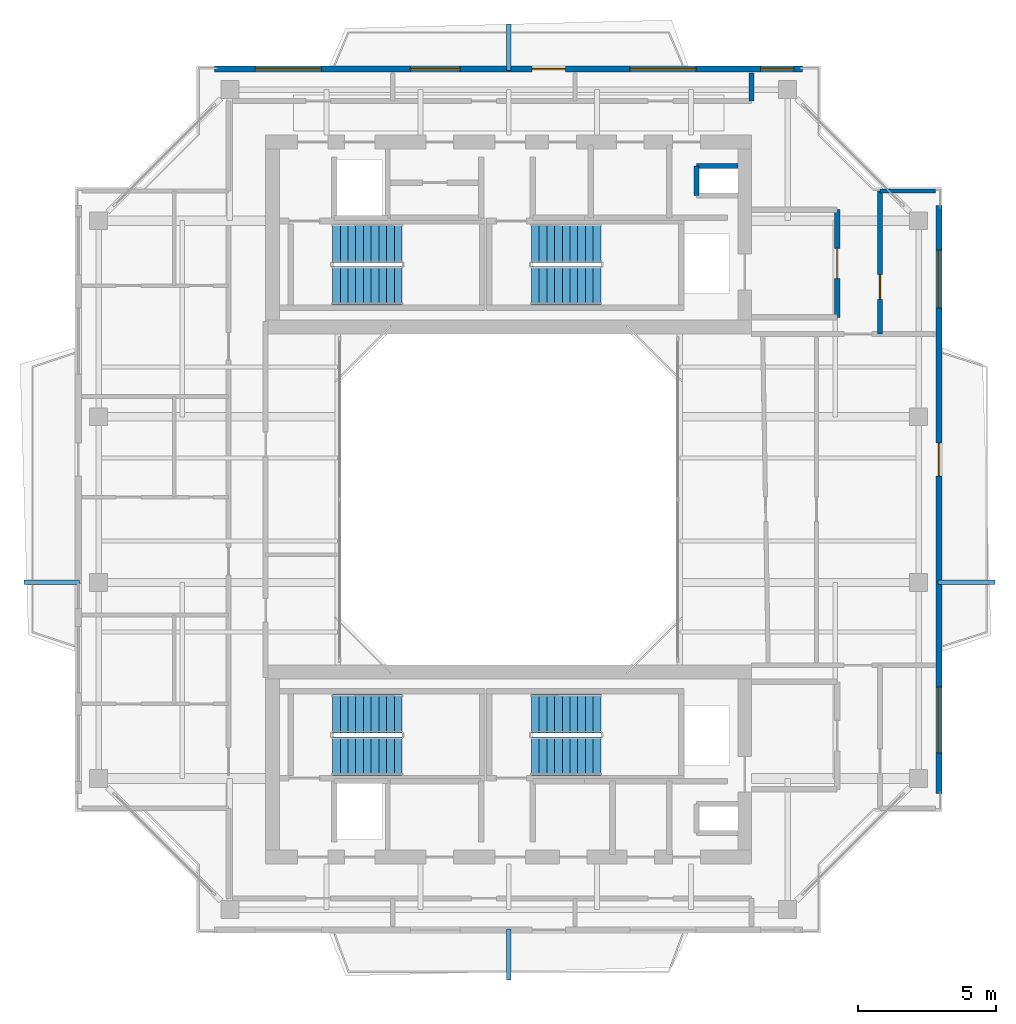
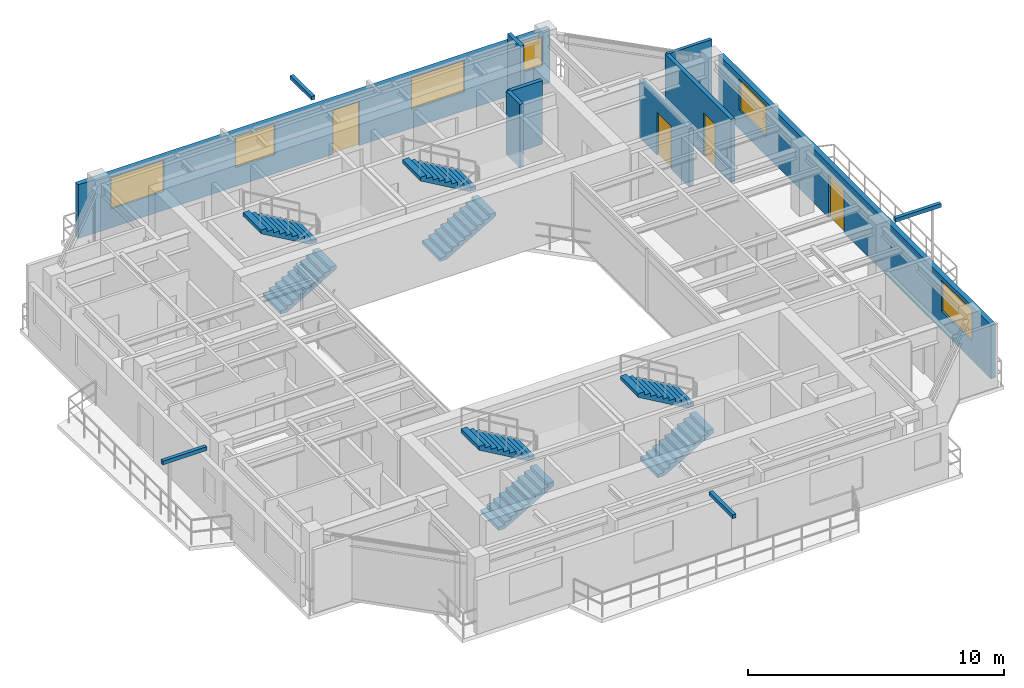
# One storey, part 12 of 14: 8 stair flights, 8 walls, 6 windows, 4 discrete accessories, 4 doors, 10 openings, 4 elements without a shape of their own.
"""IFC4 building model written with IfcOpenShell, lengths in metres."""

import ifcopenshell
import ifcopenshell.guid

model = None  # the IFC model being written
_history = None  # IfcOwnerHistory: only IFC2X3 demands one
_inside = {}  # id of a spatial element -> (the spatial element, [elements in it])
_under = {}  # id of a project, library or spatial element -> (it, [spatial elements below it])
_declared = {}  # id of a project -> (the project, [libraries it declares])
_typed = {}  # id of a type object -> (the type object, [elements of that type])
_made_of = {}  # id of a material, layer set ... -> (it, [elements and type objects made of it])


def new_model(schema):
    """Start an empty IFC model of exactly this schema.

    Asked for "IFC4X3", IfcOpenShell would pick the latest addendum, in which some entities
    have other attributes; the version numbers below select the first issue.
    IFC2X3 requires an IfcOwnerHistory on every rooted entity: one is made here for all.
    """
    global model, _history
    if schema == "IFC4X3":
        model = ifcopenshell.file(schema_version=(4, 3, 0, 0))
    else:
        model = ifcopenshell.file(schema=schema)
    _inside.clear()
    _under.clear()
    _declared.clear()
    _typed.clear()
    _made_of.clear()
    _history = None
    if model.schema == "IFC2X3":
        org = make("IfcOrganization", Name="unknown")
        user = make(
            "IfcPersonAndOrganization",
            ThePerson=make("IfcPerson", FamilyName="unknown"),
            TheOrganization=org,
        )
        app = make(
            "IfcApplication",
            ApplicationDeveloper=org,
            Version="unknown",
            ApplicationFullName="unknown",
            ApplicationIdentifier="unknown",
        )
        _history = make(
            "IfcOwnerHistory",
            OwningUser=user,
            OwningApplication=app,
            ChangeAction="ADDED",
            CreationDate=0,
        )
    return model


def make(cls, **values):
    """One entity of the class cls with the attributes given. An attribute that is None is left unset."""
    return model.create_entity(
        cls, **{name: value for name, value in values.items() if value is not None}
    )


def rooted(cls, **values):
    """An entity with a GlobalId (a new one), such as an element, a storey or a relation."""
    return make(cls, GlobalId=ifcopenshell.guid.new(), OwnerHistory=_history, **values)


def si_unit(unit_type, name, prefix=None):
    """IfcSIUnit, for example si_unit("LENGTHUNIT", "METRE", prefix="MILLI")."""
    return make("IfcSIUnit", UnitType=unit_type, Prefix=prefix, Name=name)


def assignment(units):
    """IfcUnitAssignment: the units of a project."""
    return None if units is None else make("IfcUnitAssignment", Units=units)


def point(xyz):
    """IfcCartesianPoint."""
    return None if xyz is None else make("IfcCartesianPoint", Coordinates=xyz)


def direction(xyz):
    """IfcDirection."""
    return None if xyz is None else make("IfcDirection", DirectionRatios=xyz)


def frame(location, z_axis=None, x_axis=None):
    """IfcAxis2Placement3D, a coordinate frame: its origin and axes. An axis left out is left unset."""
    return make(
        "IfcAxis2Placement3D",
        Location=point(location),
        Axis=direction(z_axis),
        RefDirection=direction(x_axis),
    )


def frame_2d(location, x_axis=None):
    """IfcAxis2Placement2D, a coordinate frame in the plane: its origin and x axis."""
    return make(
        "IfcAxis2Placement2D", Location=point(location), RefDirection=direction(x_axis)
    )


def origin():
    """The frame at (0, 0, 0) with its axes left unset."""
    return frame((0.0, 0.0, 0.0))


def origin_2d():
    """The frame at (0, 0) in the plane with its x axis left unset."""
    return frame_2d((0.0, 0.0))


def place(relative_to, where):
    """IfcLocalPlacement: puts the frame where relative to a parent placement (None: the world)."""
    return make(
        "IfcLocalPlacement", PlacementRelTo=relative_to, RelativePlacement=where
    )


def context(
    kind, dimensions, precision=None, world=None, true_north=None, identifier=None
):
    """IfcGeometricRepresentationContext, for example the 3D "Model" context."""
    return make(
        "IfcGeometricRepresentationContext",
        ContextIdentifier=identifier,
        ContextType=kind,
        CoordinateSpaceDimension=dimensions,
        Precision=precision,
        WorldCoordinateSystem=world,
        TrueNorth=true_north,
    )


def subcontext(parent, identifier, kind, view, scale=None):
    """IfcGeometricRepresentationSubContext, for example "Body" below "Model"."""
    return make(
        "IfcGeometricRepresentationSubContext",
        ContextIdentifier=identifier,
        ContextType=kind,
        ParentContext=parent,
        TargetScale=scale,
        TargetView=view,
    )


def project(units=None, contexts=None):
    """IfcProject with its units and contexts."""
    return rooted(
        "IfcProject",
        Name="project",
        RepresentationContexts=contexts,
        UnitsInContext=assignment(units),
    )


def spatial(cls, under=None, at=None, **own):
    """A site, building, storey or space (cls), placed at a placement, below another one or the project."""
    s = rooted(cls, ObjectPlacement=at, **own)
    if under is not None:
        _under.setdefault(under.id(), (under, []))[1].append(s)
    return s


def polyline(points):
    """IfcPolyline through the points."""
    return make("IfcPolyline", Points=[point(p) for p in points])


def profile(cls, at=None, kind="AREA", **sizes):
    """A parametric profile (cls). Its sizes go by their IFC names, for example OverallWidth=200.0."""
    return make(cls, ProfileType=kind, Position=at, **sizes)


def rectangle(**sizes):
    """IfcRectangleProfileDef."""
    return profile("IfcRectangleProfileDef", **sizes)


def outline(outer, holes=None, kind="AREA"):
    """IfcArbitraryClosedProfileDef: a profile drawn as a closed curve; with holes, ...WithVoids."""
    if holes is None:
        return make("IfcArbitraryClosedProfileDef", ProfileType=kind, OuterCurve=outer)
    return make(
        "IfcArbitraryProfileDefWithVoids",
        ProfileType=kind,
        OuterCurve=outer,
        InnerCurves=holes,
    )


def extrude(swept, where, along, depth):
    """IfcExtrudedAreaSolid: the profile swept, set in the frame where, extruded along a direction by depth."""
    return make(
        "IfcExtrudedAreaSolid",
        SweptArea=swept,
        Position=where,
        ExtrudedDirection=direction(along),
        Depth=depth,
    )


def shape(context_of_items, identifier, shape_type, items):
    """IfcShapeRepresentation: the items that make up one representation, for example the "Body"."""
    return make(
        "IfcShapeRepresentation",
        ContextOfItems=context_of_items,
        RepresentationIdentifier=identifier,
        RepresentationType=shape_type,
        Items=items,
    )


def source(mapping_origin, context_of_items, identifier, shape_type, items):
    """IfcRepresentationMap: a shape defined once, which mapped items show again and again."""
    return make(
        "IfcRepresentationMap",
        MappingOrigin=mapping_origin,
        MappedRepresentation=shape(context_of_items, identifier, shape_type, items),
    )


def transform(
    local_origin,
    x_axis=None,
    y_axis=None,
    z_axis=None,
    scale=None,
    scale2=None,
    scale3=None,
    uniform=True,
):
    """IfcCartesianTransformationOperator3D, or its non-uniform kind. x_axis, y_axis, z_axis: its Axis1, 2, 3."""
    if uniform:
        return make(
            "IfcCartesianTransformationOperator3D",
            Axis1=direction(x_axis),
            Axis2=direction(y_axis),
            LocalOrigin=point(local_origin),
            Scale=scale,
            Axis3=direction(z_axis),
        )
    return make(
        "IfcCartesianTransformationOperator3DnonUniform",
        Axis1=direction(x_axis),
        Axis2=direction(y_axis),
        LocalOrigin=point(local_origin),
        Scale=scale,
        Axis3=direction(z_axis),
        Scale2=scale2,
        Scale3=scale3,
    )


def mapped(mapping_source, mapping_target):
    """IfcMappedItem: shows the shape of a source again, moved by a transform."""
    return make(
        "IfcMappedItem", MappingSource=mapping_source, MappingTarget=mapping_target
    )


def material(Name=None, Category=None):
    """IfcMaterial."""
    return make("IfcMaterial", Name=Name, Category=Category)


def layer(
    of_material, thickness, ventilated=None, Name=None, Category=None, Priority=None
):
    """IfcMaterialLayer: one layer of a wall or slab, of a material (None: an air gap)."""
    return make(
        "IfcMaterialLayer",
        Material=of_material,
        LayerThickness=thickness,
        IsVentilated=ventilated,
        Name=Name,
        Category=Category,
        Priority=Priority,
    )


def layer_set(layers, Name=None):
    """IfcMaterialLayerSet."""
    return make("IfcMaterialLayerSet", MaterialLayers=layers, LayerSetName=Name)


def made_of(thing, what):
    """Note that an element or type object is made of a material, layer set ...; save() writes the relation."""
    if what is not None:
        _made_of.setdefault(what.id(), (what, []))[1].append(thing)
    return thing


def type_object(cls, material=None, **own):
    """A type object (cls), such as IfcWallType, which elements share."""
    return made_of(rooted(cls, **own), material)


def element(
    cls,
    number,
    at=None,
    inside=None,
    cuts=None,
    type_object=None,
    material=None,
    context=None,
    identifier="Body",
    shape_type=None,
    held_by="IfcProductDefinitionShape",
    body=None,
    shapes=None,
    **own,
):
    """One element of the class cls, such as IfcWall. Its Tag is "e" and its number.

    at: its placement. inside: the storey or other place that contains it. cuts: it is an
    opening in that element (IfcRelVoidsElement). A single representation is given by context,
    identifier, shape_type and body (its items); several are given by shapes. held_by: the class
    of the entity that holds the representations. save() writes the other relations.
    """
    e = rooted(cls, Tag="e%d" % number, ObjectPlacement=at, **own)
    if body is not None:
        shapes = [shape(context, identifier, shape_type, body)]
    if shapes is not None:
        e.Representation = make(held_by, Representations=shapes)
    if inside is not None:
        _inside.setdefault(inside.id(), (inside, []))[1].append(e)
    if cuts is not None:
        rooted(
            "IfcRelVoidsElement", RelatingBuildingElement=cuts, RelatedOpeningElement=e
        )
    if type_object is not None:
        _typed.setdefault(type_object.id(), (type_object, []))[1].append(e)
    return made_of(e, material)


def fill(opening, filler):
    """IfcRelFillsElement: the door or window that sits in an opening."""
    return rooted(
        "IfcRelFillsElement",
        RelatingOpeningElement=opening,
        RelatedBuildingElement=filler,
    )


def aggregate(whole, parts):
    """IfcRelAggregates: a whole, such as a stair, and the parts it consists of."""
    return rooted("IfcRelAggregates", RelatingObject=whole, RelatedObjects=parts)


def save(model, path):
    """Write the relations noted so far, then the file.

    IfcRelAggregates (storeys below a building ...), IfcRelContainedInSpatialStructure (elements
    in a storey), IfcRelDefinesByType, IfcRelAssociatesMaterial and IfcRelDeclares: one each for
    every whole, place, type object, material and project.
    """
    for whole, parts in _under.values():
        aggregate(whole, parts)
    for where, things in _inside.values():
        rooted(
            "IfcRelContainedInSpatialStructure",
            RelatedElements=things,
            RelatingStructure=where,
        )
    for kind, things in _typed.values():
        rooted("IfcRelDefinesByType", RelatedObjects=things, RelatingType=kind)
    for what, things in _made_of.values():
        rooted("IfcRelAssociatesMaterial", RelatedObjects=things, RelatingMaterial=what)
    for by, libraries in _declared.values():
        rooted("IfcRelDeclares", RelatingContext=by, RelatedDefinitions=libraries)
    model.write(path)


model = new_model("IFC4")

# Units and contexts
model_context = context("Model", 3, precision=1e-05, world=origin(), true_north=direction((0.0, 1.0)))
body_context = subcontext(model_context, "Body", "Model", "MODEL_VIEW")
ifc_project = project(units=[si_unit("LENGTHUNIT", "METRE"), si_unit("AREAUNIT", "SQUARE_METRE"), si_unit("VOLUMEUNIT", "CUBIC_METRE"), si_unit("PLANEANGLEUNIT", "RADIAN"), si_unit("MASSUNIT", "GRAM", prefix="KILO"), si_unit("THERMODYNAMICTEMPERATUREUNIT", "KELVIN"), si_unit("POWERUNIT", "WATT")], contexts=[model_context])

# Site, building, storey
site_placement = place(None, origin())
site = spatial("IfcSite", under=ifc_project, at=site_placement, CompositionType="ELEMENT")
building_placement = place(site_placement, origin())
building = spatial("IfcBuilding", under=site, at=building_placement, Name="Qiaomeng Ring Towers", CompositionType="ELEMENT")
storey_placement = place(building_placement, frame((0.0, 0.0, 260.0)))
storey = spatial("IfcBuildingStorey", under=building, at=storey_placement, Name="L76", CompositionType="ELEMENT", Elevation=260.0)

# Wall, openings, windows, door
ifc_material_1 = material(Name="Precast concrete C40", Category="concrete")
ifc_layer_1 = layer(ifc_material_1, 0.219970703125, Name="Precast concrete C40")
ifc_layer_set_1 = layer_set([ifc_layer_1], Name="Precast concrete C40")
wall_type_1 = type_object("IfcWallType", Name="ARC-WL-EW2", PredefinedType="STANDARD", material=ifc_layer_set_1)
wall_1_placement = place(storey_placement, frame((8.35009765625, 38.590087890625, 0.0), z_axis=(0.0, 0.0, 1.0), x_axis=(1.0, 0.0, 0.0)))
wall_1 = element("IfcWall", 1, at=wall_1_placement, inside=storey, type_object=wall_type_1, Name="L76 Tower 1 N Exterior Wall", PredefinedType="STANDARD", context=body_context, shape_type="SweptSolid", body=[
    extrude(rectangle(XDim=21.2998046875, YDim=0.219970703125, at=frame_2d((10.64990234375, 0.0))), origin(), (0.0, 0.0, 1.0), 2.570068359375),
])
opening_1_placement = place(wall_1_placement, frame((11.5, 0.0, 0.0)))
opening_1 = element("IfcOpeningElement", 2, at=opening_1_placement, cuts=wall_1, Name="Opening BD1", PredefinedType="OPENING", context=body_context, shape_type="SweptSolid", body=[
    extrude(rectangle(XDim=1.199951171875, YDim=2.10009765625, at=frame_2d((0.60009765625, 1.050048828125))), frame((0.0, 0.119873046875, 0.0), z_axis=(0.0, -1.0, 0.0), x_axis=(1.0, 0.0, 0.0)), (0.0, 0.0, 1.0), 0.239990234375),
])
opening_2_placement = place(wall_1_placement, frame((1.462890625, 0.0, 0.89990234375)))
opening_2 = element("IfcOpeningElement", 3, at=opening_2_placement, cuts=wall_1, Name="Opening WN6", PredefinedType="OPENING", context=body_context, shape_type="SweptSolid", body=[
    extrude(rectangle(XDim=2.39990234375, YDim=1.47998046875, at=frame_2d((1.199951171875, 0.739990234375))), frame((0.0, 0.119873046875, 0.0), z_axis=(0.0, -1.0, 0.0), x_axis=(1.0, 0.0, 0.0)), (0.0, 0.0, 1.0), 0.239990234375),
])
opening_3_placement = place(wall_1_placement, frame((7.087890625, 0.0, 0.89990234375)))
opening_3 = element("IfcOpeningElement", 4, at=opening_3_placement, cuts=wall_1, Name="Opening WN1", PredefinedType="OPENING", context=body_context, shape_type="SweptSolid", body=[
    extrude(rectangle(XDim=1.800048828125, YDim=1.449951171875, at=frame_2d((0.89990234375, 0.72509765625))), frame((0.0, 0.119873046875, 0.0), z_axis=(0.0, -1.0, 0.0), x_axis=(1.0, 0.0, 0.0)), (0.0, 0.0, 1.0), 0.239990234375),
])
opening_4_placement = place(wall_1_placement, frame((19.77490234375, 0.0, 0.89990234375)))
opening_4 = element("IfcOpeningElement", 5, at=opening_4_placement, cuts=wall_1, Name="Opening WN3", PredefinedType="OPENING", context=body_context, shape_type="SweptSolid", body=[
    extrude(rectangle(XDim=1.199951171875, YDim=1.39990234375, at=frame_2d((0.60009765625, 0.699951171875))), frame((0.0, 0.119873046875, 0.0), z_axis=(0.0, -1.0, 0.0), x_axis=(1.0, 0.0, 0.0)), (0.0, 0.0, 1.0), 0.239990234375),
])
opening_5_placement = place(wall_1_placement, frame((15.04248046875, 0.0, 0.89990234375)))
opening_5 = element("IfcOpeningElement", 6, at=opening_5_placement, cuts=wall_1, Name="Opening WN6", PredefinedType="OPENING", context=body_context, shape_type="SweptSolid", body=[
    extrude(rectangle(XDim=2.39990234375, YDim=1.5, at=frame_2d((1.199951171875, 0.75))), frame((0.0, 0.119873046875, 0.0), z_axis=(0.0, -1.0, 0.0), x_axis=(1.0, 0.0, 0.0)), (0.0, 0.0, 1.0), 0.239990234375),
])
ifc_material_2 = material(Name="Low-E dark-grey laminated double glazing", Category="glass")
window_type_1 = type_object("IfcWindowType", Name="ARC-WN-1", PartitioningType="DOUBLE_PANEL_VERTICAL", PredefinedType="WINDOW", material=ifc_material_2)
shared_shape_1 = source(origin(), body_context, "Body", "SweptSolid", [
    extrude(rectangle(XDim=1.800048828125, YDim=1.449951171875, at=frame_2d((0.89990234375, 0.72509765625))), frame((0.0, 0.030029296875, 0.0), z_axis=(0.0, -1.0, 0.0), x_axis=(1.0, 0.0, 0.0)), (0.0, 0.0, 1.0), 0.06005859375),
])
window_1_placement = place(opening_3_placement, origin())
window_1 = element("IfcWindow", 7, at=window_1_placement, inside=storey, type_object=window_type_1, Name="L76 Exterior Window WN1", OverallHeight=1.449951171875, OverallWidth=1.800048828125, PartitioningType="DOUBLE_PANEL_VERTICAL", PredefinedType="WINDOW", context=body_context, shape_type="MappedRepresentation", body=[
    mapped(shared_shape_1, transform((0.0, 0.0, 0.0), x_axis=(1.0, 0.0, 0.0), y_axis=(0.0, 1.0, 0.0), z_axis=(0.0, 0.0, 1.0), scale=1.0)),
])
fill(opening_3, window_1)
window_type_2 = type_object("IfcWindowType", Name="ARC-WN-6", PartitioningType="TRIPLE_PANEL_VERTICAL", PredefinedType="WINDOW", material=ifc_material_2)
shared_shape_2 = source(origin(), body_context, "Body", "SweptSolid", [
    extrude(rectangle(XDim=2.39990234375, YDim=1.47998046875, at=frame_2d((1.199951171875, 0.739990234375))), frame((0.0, 0.030029296875, 0.0), z_axis=(0.0, -1.0, 0.0), x_axis=(1.0, 0.0, 0.0)), (0.0, 0.0, 1.0), 0.06005859375),
])
window_2_placement = place(opening_2_placement, origin())
window_2 = element("IfcWindow", 8, at=window_2_placement, inside=storey, type_object=window_type_2, Name="L76 Exterior Window WN6", OverallHeight=1.47998046875, OverallWidth=2.39990234375, PartitioningType="TRIPLE_PANEL_VERTICAL", PredefinedType="WINDOW", context=body_context, shape_type="MappedRepresentation", body=[
    mapped(shared_shape_2, transform((0.0, 0.0, 0.0), x_axis=(1.0, 0.0, 0.0), y_axis=(0.0, 1.0, 0.0), z_axis=(0.0, 0.0, 1.0), scale=1.0)),
])
fill(opening_2, window_2)
door_type_1 = type_object("IfcDoorType", Name="ARC-DR-BD1", OperationType="NOTDEFINED", PredefinedType="DOOR", material=ifc_material_2)
shared_shape_3 = source(origin(), body_context, "Body", "SweptSolid", [
    extrude(rectangle(XDim=1.199951171875, YDim=2.10009765625, at=frame_2d((0.60009765625, 1.050048828125))), frame((0.0, 0.02490234375, 0.0), z_axis=(0.0, -1.0, 0.0), x_axis=(1.0, 0.0, 0.0)), (0.0, 0.0, 1.0), 0.050048828125),
])
door_1_placement = place(opening_1_placement, origin())
door_1 = element("IfcDoor", 9, at=door_1_placement, inside=storey, type_object=door_type_1, Name="L76 N Balcony Glazed Door", OperationType="SINGLE_SWING_LEFT", OverallHeight=2.10009765625, OverallWidth=1.199951171875, PredefinedType="DOOR", context=body_context, shape_type="MappedRepresentation", body=[
    mapped(shared_shape_3, transform((0.0, 0.0, 0.0), x_axis=(1.0, 0.0, 0.0), y_axis=(0.0, 1.0, 0.0), z_axis=(0.0, 0.0, 1.0), scale=1.0)),
])
fill(opening_1, door_1)
shared_shape_4 = source(origin(), body_context, "Body", "SweptSolid", [
    extrude(rectangle(XDim=2.39990234375, YDim=1.5, at=frame_2d((1.199951171875, 0.75))), frame((0.0, 0.030029296875, 0.0), z_axis=(0.0, -1.0, 0.0), x_axis=(1.0, 0.0, 0.0)), (0.0, 0.0, 1.0), 0.06005859375),
])
window_3_placement = place(opening_5_placement, origin())
window_3 = element("IfcWindow", 10, at=window_3_placement, inside=storey, type_object=window_type_2, Name="L76 Exterior Window WN6", OverallHeight=1.5, OverallWidth=2.39990234375, PartitioningType="TRIPLE_PANEL_VERTICAL", PredefinedType="WINDOW", context=body_context, shape_type="MappedRepresentation", body=[
    mapped(shared_shape_4, transform((0.0, 0.0, 0.0), x_axis=(1.0, 0.0, 0.0), y_axis=(0.0, 1.0, 0.0), z_axis=(0.0, 0.0, 1.0), scale=1.0)),
])
fill(opening_5, window_3)
window_type_3 = type_object("IfcWindowType", Name="ARC-WN-3", PartitioningType="SINGLE_PANEL", PredefinedType="WINDOW", material=ifc_material_2)
shared_shape_5 = source(origin(), body_context, "Body", "SweptSolid", [
    extrude(rectangle(XDim=1.199951171875, YDim=1.39990234375, at=frame_2d((0.60009765625, 0.699951171875))), frame((0.0, 0.030029296875, 0.0), z_axis=(0.0, -1.0, 0.0), x_axis=(1.0, 0.0, 0.0)), (0.0, 0.0, 1.0), 0.06005859375),
])
window_4_placement = place(opening_4_placement, origin())
window_4 = element("IfcWindow", 11, at=window_4_placement, inside=storey, type_object=window_type_3, Name="L76 Exterior Window WN4", OverallHeight=1.39990234375, OverallWidth=1.199951171875, PartitioningType="TRIPLE_PANEL_VERTICAL", PredefinedType="WINDOW", context=body_context, shape_type="MappedRepresentation", body=[
    mapped(shared_shape_5, transform((0.0, 0.0, 0.0), x_axis=(1.0, 0.0, 0.0), y_axis=(0.0, 1.0, 0.0), z_axis=(0.0, 0.0, 1.0), scale=1.0)),
])
fill(opening_4, window_4)

wall_2_placement = place(storey_placement, frame((34.590087890625, 12.35009765625, 0.0), z_axis=(0.0, 0.0, 1.0), x_axis=(0.0, 1.0, 0.0)))
wall_2 = element("IfcWall", 12, at=wall_2_placement, inside=storey, type_object=wall_type_1, Name="L76 Tower 1 E Exterior Wall", PredefinedType="STANDARD", context=body_context, shape_type="SweptSolid", body=[
    extrude(rectangle(XDim=21.2998046875, YDim=0.219970703125, at=frame_2d((10.64990234375, 0.0))), origin(), (0.0, 0.0, 1.0), 2.570068359375),
])
opening_6_placement = place(wall_2_placement, frame((11.5, 0.0, 0.0)))
opening_6 = element("IfcOpeningElement", 13, at=opening_6_placement, cuts=wall_2, Name="Opening BD1", PredefinedType="OPENING", context=body_context, shape_type="SweptSolid", body=[
    extrude(rectangle(XDim=1.199951171875, YDim=2.10009765625, at=frame_2d((0.60009765625, 1.050048828125))), frame((0.0, 0.119873046875, 0.0), z_axis=(0.0, -1.0, 0.0), x_axis=(1.0, 0.0, 0.0)), (0.0, 0.0, 1.0), 0.239990234375),
])
opening_7_placement = place(wall_2_placement, frame((1.462890625, 0.0, 0.89990234375)))
opening_7 = element("IfcOpeningElement", 14, at=opening_7_placement, cuts=wall_2, Name="Opening WN6", PredefinedType="OPENING", context=body_context, shape_type="SweptSolid", body=[
    extrude(rectangle(XDim=2.39990234375, YDim=1.47998046875, at=frame_2d((1.199951171875, 0.739990234375))), frame((0.0, 0.119873046875, 0.0), z_axis=(0.0, -1.0, 0.0), x_axis=(1.0, 0.0, 0.0)), (0.0, 0.0, 1.0), 0.239990234375),
])
opening_8_placement = place(wall_2_placement, frame((17.587890625, 0.0, 0.89990234375)))
opening_8 = element("IfcOpeningElement", 15, at=opening_8_placement, cuts=wall_2, Name="Opening WN4", PredefinedType="OPENING", context=body_context, shape_type="SweptSolid", body=[
    extrude(rectangle(XDim=2.10009765625, YDim=1.47998046875, at=frame_2d((1.050048828125, 0.739990234375))), frame((0.0, 0.119873046875, 0.0), z_axis=(0.0, -1.0, 0.0), x_axis=(1.0, 0.0, 0.0)), (0.0, 0.0, 1.0), 0.239990234375),
])
window_type_4 = type_object("IfcWindowType", Name="ARC-WN-4", PartitioningType="TRIPLE_PANEL_VERTICAL", PredefinedType="WINDOW", material=ifc_material_2)
shared_shape_6 = source(origin(), body_context, "Body", "SweptSolid", [
    extrude(rectangle(XDim=2.10009765625, YDim=1.47998046875, at=frame_2d((1.050048828125, 0.739990234375))), frame((0.0, 0.030029296875, 0.0), z_axis=(0.0, -1.0, 0.0), x_axis=(1.0, 0.0, 0.0)), (0.0, 0.0, 1.0), 0.06005859375),
])
window_5_placement = place(opening_8_placement, origin())
window_5 = element("IfcWindow", 16, at=window_5_placement, inside=storey, type_object=window_type_4, Name="L76 Exterior Window WN4", OverallHeight=1.47998046875, OverallWidth=2.10009765625, PartitioningType="TRIPLE_PANEL_VERTICAL", PredefinedType="WINDOW", context=body_context, shape_type="MappedRepresentation", body=[
    mapped(shared_shape_6, transform((0.0, 0.0, 0.0), x_axis=(1.0, 0.0, 0.0), y_axis=(0.0, 1.0, 0.0), z_axis=(0.0, 0.0, 1.0), scale=1.0)),
])
fill(opening_8, window_5)
window_6_placement = place(opening_7_placement, origin())
window_6 = element("IfcWindow", 17, at=window_6_placement, inside=storey, type_object=window_type_2, Name="L76 Exterior Window WN6", OverallHeight=1.47998046875, OverallWidth=2.39990234375, PartitioningType="TRIPLE_PANEL_VERTICAL", PredefinedType="WINDOW", context=body_context, shape_type="MappedRepresentation", body=[
    mapped(shared_shape_2, transform((0.0, 0.0, 0.0), x_axis=(1.0, 0.0, 0.0), y_axis=(0.0, 1.0, 0.0), z_axis=(0.0, 0.0, 1.0), scale=1.0)),
])
fill(opening_7, window_6)
door_2_placement = place(opening_6_placement, origin())
door_2 = element("IfcDoor", 18, at=door_2_placement, inside=storey, type_object=door_type_1, Name="L76 E Balcony Glazed Door", OperationType="SINGLE_SWING_LEFT", OverallHeight=2.10009765625, OverallWidth=1.199951171875, PredefinedType="DOOR", context=body_context, shape_type="MappedRepresentation", body=[
    mapped(shared_shape_3, transform((0.0, 0.0, 0.0), x_axis=(1.0, 0.0, 0.0), y_axis=(0.0, 1.0, 0.0), z_axis=(0.0, 0.0, 1.0), scale=1.0)),
])
fill(opening_6, door_2)

# Wall, opening, door
ifc_material_3 = material(Name="Autoclaved aerated concrete block", Category="concrete")
ifc_layer_2 = layer(ifc_material_3, 0.199951171875, Name="Autoclaved aerated concrete block")
ifc_layer_set_2 = layer_set([ifc_layer_2], Name="Autoclaved aerated concrete block")
wall_type_2 = type_object("IfcWallType", Name="ARC-WL-PW1", PredefinedType="PARTITIONING", material=ifc_layer_set_2)
wall_3_placement = place(storey_placement, frame((30.89990234375, 29.60009765625, 0.0), z_axis=(0.0, 0.0, 1.0), x_axis=(0.0, 1.0, 0.0)))
wall_3 = element("IfcWall", 19, at=wall_3_placement, inside=storey, type_object=wall_type_2, Name="L76 Interior Wall PW1", PredefinedType="PARTITIONING", context=body_context, shape_type="SweptSolid", body=[
    extrude(rectangle(XDim=3.89990234375, YDim=0.199951171875, at=frame_2d((1.949951171875, 0.0))), origin(), (0.0, 0.0, 1.0), 2.781005859375),
])
opening_9_placement = place(wall_3_placement, frame((1.39990234375, 0.0, 0.0)))
opening_9 = element("IfcOpeningElement", 20, at=opening_9_placement, cuts=wall_3, Name="Opening FD3", PredefinedType="OPENING", context=body_context, shape_type="SweptSolid", body=[
    extrude(rectangle(XDim=1.10009765625, YDim=2.050048828125, at=frame_2d((0.550048828125, 1.02490234375))), frame((0.0, 0.10986328125, 0.0), z_axis=(0.0, -1.0, 0.0), x_axis=(1.0, 0.0, 0.0)), (0.0, 0.0, 1.0), 0.219970703125),
])
ifc_material_4 = material(Name="Galvanised steel", Category="steel")
door_type_2 = type_object("IfcDoorType", Name="ARC-DR-FD3", OperationType="NOTDEFINED", PredefinedType="DOOR", material=ifc_material_4)
shared_shape_7 = source(origin(), body_context, "Body", "SweptSolid", [
    extrude(rectangle(XDim=1.10009765625, YDim=2.050048828125, at=frame_2d((0.550048828125, 1.02490234375))), frame((0.0, 0.02490234375, 0.0), z_axis=(0.0, -1.0, 0.0), x_axis=(1.0, 0.0, 0.0)), (0.0, 0.0, 1.0), 0.050048828125),
])
door_3_placement = place(opening_9_placement, origin())
door_3 = element("IfcDoor", 21, at=door_3_placement, inside=storey, type_object=door_type_2, Name="L76 North FF Lobby Door", OperationType="SINGLE_SWING_LEFT", OverallHeight=2.050048828125, OverallWidth=1.10009765625, PredefinedType="DOOR", context=body_context, shape_type="MappedRepresentation", body=[
    mapped(shared_shape_7, transform((0.0, 0.0, 0.0), x_axis=(1.0, 0.0, 0.0), y_axis=(0.0, 1.0, 0.0), z_axis=(0.0, 0.0, 1.0), scale=1.0)),
])
fill(opening_9, door_3)

# Wall
ifc_layer_3 = layer(ifc_material_3, 0.179931640625, Name="Autoclaved aerated concrete block")
ifc_layer_set_3 = layer_set([ifc_layer_3], Name="Autoclaved aerated concrete block")
wall_type_3 = type_object("IfcWallType", Name="ARC-WL-PW2", PredefinedType="PARTITIONING", material=ifc_layer_set_3)
wall_4_placement = place(storey_placement, frame((27.800048828125, 37.43994140625, 0.0), z_axis=(0.0, 0.0, 1.0), x_axis=(0.0, 1.0, 0.0)))
element("IfcWall", 22, at=wall_4_placement, inside=storey, type_object=wall_type_3, Name="L76 Interior Wall PW2", PredefinedType="PARTITIONING", context=body_context, shape_type="SweptSolid", body=[
    extrude(rectangle(XDim=1.010009765625, YDim=0.179931640625, at=frame_2d((0.5048828125, 0.0))), origin(), (0.0, 0.0, 1.0), 3.030029296875),
])

# Wall, opening, door
wall_5_placement = place(storey_placement, frame((32.449951171875, 29.0, 0.0), z_axis=(0.0, 0.0, 1.0), x_axis=(0.0, 1.0, 0.0)))
wall_5 = element("IfcWall", 23, at=wall_5_placement, inside=storey, type_object=wall_type_3, Name="L76 Interior Wall PW2", PredefinedType="PARTITIONING", context=body_context, shape_type="SweptSolid", body=[
    extrude(rectangle(XDim=5.179931640625, YDim=0.179931640625, at=frame_2d((2.58984375, 0.0))), origin(), (0.0, 0.0, 1.0), 3.030029296875),
])
opening_10_placement = place(wall_5_placement, frame((1.25, 0.0, 0.0)))
opening_10 = element("IfcOpeningElement", 24, at=opening_10_placement, cuts=wall_5, Name="Opening ID1", PredefinedType="OPENING", context=body_context, shape_type="SweptSolid", body=[
    extrude(rectangle(XDim=0.89990234375, YDim=2.050048828125, at=frame_2d((0.449951171875, 1.02490234375))), frame((0.0, 0.099853515625, 0.0), z_axis=(0.0, -1.0, 0.0), x_axis=(1.0, 0.0, 0.0)), (0.0, 0.0, 1.0), 0.199951171875),
])
ifc_material_5 = material(Name="Engineered oak timber", Category="wood")
door_type_3 = type_object("IfcDoorType", Name="ARC-DR-ID1", OperationType="NOTDEFINED", PredefinedType="DOOR", material=ifc_material_5)
shared_shape_8 = source(origin(), body_context, "Body", "SweptSolid", [
    extrude(rectangle(XDim=0.89990234375, YDim=2.050048828125, at=frame_2d((0.449951171875, 1.02490234375))), frame((0.0, 0.02490234375, 0.0), z_axis=(0.0, -1.0, 0.0), x_axis=(1.0, 0.0, 0.0)), (0.0, 0.0, 1.0), 0.050048828125),
])
door_4_placement = place(opening_10_placement, origin())
door_4 = element("IfcDoor", 25, at=door_4_placement, inside=storey, type_object=door_type_3, Name="L76 Door ID1", OperationType="SINGLE_SWING_LEFT", OverallHeight=2.050048828125, OverallWidth=0.89990234375, PredefinedType="DOOR", context=body_context, shape_type="MappedRepresentation", body=[
    mapped(shared_shape_8, transform((0.0, 0.0, 0.0), x_axis=(1.0, 0.0, 0.0), y_axis=(0.0, 1.0, 0.0), z_axis=(0.0, 0.0, 1.0), scale=1.0)),
])
fill(opening_10, door_4)

# Walls
ifc_material_6 = material(Name="Gypsum fireboard steel-stud partition", Category="steel")
ifc_layer_4 = layer(ifc_material_6, 0.14990234375, Name="Gypsum fireboard steel-stud partition")
ifc_layer_set_4 = layer_set([ifc_layer_4], Name="Gypsum fireboard steel-stud partition")
wall_type_4 = type_object("IfcWallType", Name="ARC-WL-PW3", PredefinedType="PARTITIONING", material=ifc_layer_set_4)
wall_6_placement = place(storey_placement, frame((32.449951171875, 34.179931640625, 0.0), z_axis=(0.0, 0.0, 1.0), x_axis=(1.0, 0.0, 0.0)))
element("IfcWall", 26, at=wall_6_placement, inside=storey, type_object=wall_type_4, Name="L76 Interior Wall PW3", PredefinedType="PARTITIONING", context=body_context, shape_type="SweptSolid", body=[
    extrude(rectangle(XDim=2.0, YDim=0.14990234375, at=frame_2d((1.0, 0.0))), origin(), (0.0, 0.0, 1.0), 3.030029296875),
])
ifc_material_7 = material(Name="Concrete C40", Category="concrete")
ifc_layer_5 = layer(ifc_material_7, 0.199951171875, Name="Concrete C40")
ifc_layer_set_5 = layer_set([ifc_layer_5], Name="Concrete C40")
wall_type_5 = type_object("IfcWallType", Name="STR-WL-STSHAFT", PredefinedType="SHEAR", material=ifc_layer_set_5)
wall_7_placement = place(storey_placement, frame((25.800048828125, 34.02001953125, 0.0), z_axis=(0.0, 0.0, 1.0), x_axis=(0.0, 1.0, 0.0)))
element("IfcWall", 27, at=wall_7_placement, inside=storey, type_object=wall_type_5, Name="L76 Riser RSR1 West Shaft Wall N", PredefinedType="SHEAR", context=body_context, shape_type="SweptSolid", body=[
    extrude(rectangle(XDim=1.06005859375, YDim=0.179931640625, at=frame_2d((0.530029296875, 0.0))), origin(), (0.0, 0.0, 1.0), 3.030029296875),
])
wall_8_placement = place(storey_placement, frame((25.800048828125, 35.080078125, 0.0), z_axis=(0.0, 0.0, 1.0), x_axis=(1.0, 0.0, 0.0)))
element("IfcWall", 28, at=wall_8_placement, inside=storey, type_object=wall_type_5, Name="L76 Riser RSR1 North Shaft Wall N", PredefinedType="SHEAR", context=body_context, shape_type="SweptSolid", body=[
    extrude(rectangle(XDim=1.5, YDim=0.179931640625, at=frame_2d((0.75, 0.0))), origin(), (0.0, 0.0, 1.0), 3.030029296875),
])

# Stair, stair flights
stair_type = type_object("IfcStairType", Name="ARC-ST-325", PredefinedType="HALF_TURN_STAIR", material=ifc_material_1)
stair_1_placement = place(storey_placement, origin())
stair_1 = element("IfcStair", 29, at=stair_1_placement, inside=storey, type_object=stair_type, Name="L76 Tower 1 North Stair 1", PredefinedType="HALF_TURN_STAIR")
stair_flight_type = type_object("IfcStairFlightType", Name="ARC-ST-325-FL", PredefinedType="STRAIGHT", material=ifc_material_1)
shared_shape_9 = source(origin(), body_context, "Body", "SweptSolid", [
    extrude(outline(polyline([(0.0, 0.0), (0.0, 0.16259765625), (0.280029296875, 0.16259765625), (0.280029296875, 0.324951171875), (0.56005859375, 0.324951171875), (0.56005859375, 0.487548828125), (0.840087890625, 0.487548828125), (0.840087890625, 0.64990234375), (1.1201171875, 0.64990234375), (1.1201171875, 0.8125), (1.39990234375, 0.8125), (1.39990234375, 0.97509765625), (1.679931640625, 0.97509765625), (1.679931640625, 1.137451171875), (1.9599609375, 1.137451171875), (1.9599609375, 1.300048828125), (2.239990234375, 1.300048828125), (2.239990234375, 1.46240234375), (2.52001953125, 1.46240234375), (2.52001953125, 1.625), (2.52001953125, 1.2890625), (0.298583984375, 0.0), (0.0, 0.0)])), frame((0.0, 0.699951171875, 0.0), z_axis=(0.0, -1.0, 0.0), x_axis=(1.0, 0.0, 0.0)), (0.0, 0.0, 1.0), 1.39990234375),
])
stair_flight_1_placement = place(storey_placement, frame((12.6201171875, 30.75, 0.0), z_axis=(0.0, 0.0, 1.0), x_axis=(1.0, 0.0, 0.0)))
stair_flight_1 = element("IfcStairFlight", 30, at=stair_flight_1_placement, type_object=stair_flight_type, Name="ST1 flight 1", NumberOfRisers=10, NumberOfTreads=9, PredefinedType="STRAIGHT", RiserHeight=0.1625, TreadLength=0.28, context=body_context, shape_type="MappedRepresentation", body=[
    mapped(shared_shape_9, transform((0.0, 0.0, 0.0), x_axis=(1.0, 0.0, 0.0), y_axis=(0.0, 1.0, 0.0), z_axis=(0.0, 0.0, 1.0), scale=1.0)),
])
stair_flight_2_placement = place(storey_placement, frame((15.139892578125, 32.2900390625, 1.625), z_axis=(0.0, 0.0, 1.0), x_axis=(-1.0, 0.0, 0.0)))
stair_flight_2 = element("IfcStairFlight", 31, at=stair_flight_2_placement, type_object=stair_flight_type, Name="ST1 flight 2", NumberOfRisers=10, NumberOfTreads=9, PredefinedType="STRAIGHT", RiserHeight=0.1625, TreadLength=0.28, context=body_context, shape_type="MappedRepresentation", body=[
    mapped(shared_shape_9, transform((0.0, 0.0, 0.0), x_axis=(1.0, 0.0, 0.0), y_axis=(0.0, 1.0, 0.0), z_axis=(0.0, 0.0, 1.0), scale=1.0)),
])
aggregate(stair_1, [stair_flight_1, stair_flight_2])

stair_2_placement = place(storey_placement, origin())
stair_2 = element("IfcStair", 32, at=stair_2_placement, inside=storey, type_object=stair_type, Name="L76 Tower 1 North Stair 2", PredefinedType="HALF_TURN_STAIR")
stair_flight_3_placement = place(storey_placement, frame((19.820068359375, 30.75, 0.0), z_axis=(0.0, 0.0, 1.0), x_axis=(1.0, 0.0, 0.0)))
stair_flight_3 = element("IfcStairFlight", 33, at=stair_flight_3_placement, type_object=stair_flight_type, Name="ST2 flight 1", NumberOfRisers=10, NumberOfTreads=9, PredefinedType="STRAIGHT", RiserHeight=0.1625, TreadLength=0.28, context=body_context, shape_type="MappedRepresentation", body=[
    mapped(shared_shape_9, transform((0.0, 0.0, 0.0), x_axis=(1.0, 0.0, 0.0), y_axis=(0.0, 1.0, 0.0), z_axis=(0.0, 0.0, 1.0), scale=1.0)),
])
stair_flight_4_placement = place(storey_placement, frame((22.340087890625, 32.2900390625, 1.625), z_axis=(0.0, 0.0, 1.0), x_axis=(-1.0, 0.0, 0.0)))
stair_flight_4 = element("IfcStairFlight", 34, at=stair_flight_4_placement, type_object=stair_flight_type, Name="ST2 flight 2", NumberOfRisers=10, NumberOfTreads=9, PredefinedType="STRAIGHT", RiserHeight=0.1625, TreadLength=0.28, context=body_context, shape_type="MappedRepresentation", body=[
    mapped(shared_shape_9, transform((0.0, 0.0, 0.0), x_axis=(1.0, 0.0, 0.0), y_axis=(0.0, 1.0, 0.0), z_axis=(0.0, 0.0, 1.0), scale=1.0)),
])
aggregate(stair_2, [stair_flight_3, stair_flight_4])

stair_3_placement = place(storey_placement, origin())
stair_3 = element("IfcStair", 35, at=stair_3_placement, inside=storey, type_object=stair_type, Name="L76 Tower 1 South Stair 3", PredefinedType="HALF_TURN_STAIR")
stair_flight_5_placement = place(storey_placement, frame((12.6201171875, 13.7099609375, 0.0), z_axis=(0.0, 0.0, 1.0), x_axis=(1.0, 0.0, 0.0)))
stair_flight_5 = element("IfcStairFlight", 36, at=stair_flight_5_placement, type_object=stair_flight_type, Name="ST3 flight 1", NumberOfRisers=10, NumberOfTreads=9, PredefinedType="STRAIGHT", RiserHeight=0.1625, TreadLength=0.28, context=body_context, shape_type="MappedRepresentation", body=[
    mapped(shared_shape_9, transform((0.0, 0.0, 0.0), x_axis=(1.0, 0.0, 0.0), y_axis=(0.0, 1.0, 0.0), z_axis=(0.0, 0.0, 1.0), scale=1.0)),
])
stair_flight_6_placement = place(storey_placement, frame((15.139892578125, 15.25, 1.625), z_axis=(0.0, 0.0, 1.0), x_axis=(-1.0, 0.0, 0.0)))
stair_flight_6 = element("IfcStairFlight", 37, at=stair_flight_6_placement, type_object=stair_flight_type, Name="ST3 flight 2", NumberOfRisers=10, NumberOfTreads=9, PredefinedType="STRAIGHT", RiserHeight=0.1625, TreadLength=0.28, context=body_context, shape_type="MappedRepresentation", body=[
    mapped(shared_shape_9, transform((0.0, 0.0, 0.0), x_axis=(1.0, 0.0, 0.0), y_axis=(0.0, 1.0, 0.0), z_axis=(0.0, 0.0, 1.0), scale=1.0)),
])
aggregate(stair_3, [stair_flight_5, stair_flight_6])

stair_4_placement = place(storey_placement, origin())
stair_4 = element("IfcStair", 38, at=stair_4_placement, inside=storey, type_object=stair_type, Name="L76 Tower 1 South Stair 4", PredefinedType="HALF_TURN_STAIR")
stair_flight_7_placement = place(storey_placement, frame((19.820068359375, 13.7099609375, 0.0), z_axis=(0.0, 0.0, 1.0), x_axis=(1.0, 0.0, 0.0)))
stair_flight_7 = element("IfcStairFlight", 39, at=stair_flight_7_placement, type_object=stair_flight_type, Name="ST4 flight 1", NumberOfRisers=10, NumberOfTreads=9, PredefinedType="STRAIGHT", RiserHeight=0.1625, TreadLength=0.28, context=body_context, shape_type="MappedRepresentation", body=[
    mapped(shared_shape_9, transform((0.0, 0.0, 0.0), x_axis=(1.0, 0.0, 0.0), y_axis=(0.0, 1.0, 0.0), z_axis=(0.0, 0.0, 1.0), scale=1.0)),
])
stair_flight_8_placement = place(storey_placement, frame((22.340087890625, 15.25, 1.625), z_axis=(0.0, 0.0, 1.0), x_axis=(-1.0, 0.0, 0.0)))
stair_flight_8 = element("IfcStairFlight", 40, at=stair_flight_8_placement, type_object=stair_flight_type, Name="ST4 flight 2", NumberOfRisers=10, NumberOfTreads=9, PredefinedType="STRAIGHT", RiserHeight=0.1625, TreadLength=0.28, context=body_context, shape_type="MappedRepresentation", body=[
    mapped(shared_shape_9, transform((0.0, 0.0, 0.0), x_axis=(1.0, 0.0, 0.0), y_axis=(0.0, 1.0, 0.0), z_axis=(0.0, 0.0, 1.0), scale=1.0)),
])
aggregate(stair_4, [stair_flight_7, stair_flight_8])

# Discrete accessories
ifc_material_8 = material(Name="Stainless steel 316", Category="steel")
discrete_accessory_type = type_object("IfcDiscreteAccessoryType", Name="ARC-ACC-BRACKET", PredefinedType="BRACKET", material=ifc_material_8)
shared_shape_10 = source(origin(), body_context, "Body", "SweptSolid", [
    extrude(rectangle(XDim=0.159912109375, YDim=1.85009765625, at=origin_2d()), origin(), (0.0, 0.0, 1.0), 0.179931640625),
])
discrete_accessory_1_placement = place(storey_placement, frame((19.0, 6.52490234375, 2.85986328125), z_axis=(0.0, 0.0, 1.0), x_axis=(1.0, 0.0, 0.0)))
element("IfcDiscreteAccessory", 41, at=discrete_accessory_1_placement, inside=storey, type_object=discrete_accessory_type, Name="L76 Stainless Outer-Skin Tie Bracket S", PredefinedType="BRACKET", context=body_context, shape_type="MappedRepresentation", body=[
    mapped(shared_shape_10, transform((0.0, 0.0, 0.0), x_axis=(1.0, 0.0, 0.0), y_axis=(0.0, 1.0, 0.0), z_axis=(0.0, 0.0, 1.0), scale=1.0)),
])
shared_shape_11 = source(origin(), body_context, "Body", "SweptSolid", [
    extrude(rectangle(XDim=0.159912109375, YDim=1.669921875, at=origin_2d()), origin(), (0.0, 0.0, 1.0), 0.179931640625),
])
discrete_accessory_2_placement = place(storey_placement, frame((19.0, 39.385009765625, 2.85986328125), z_axis=(0.0, 0.0, 1.0), x_axis=(1.0, 0.0, 0.0)))
element("IfcDiscreteAccessory", 42, at=discrete_accessory_2_placement, inside=storey, type_object=discrete_accessory_type, Name="L76 Stainless Outer-Skin Tie Bracket N", PredefinedType="BRACKET", context=body_context, shape_type="MappedRepresentation", body=[
    mapped(shared_shape_11, transform((0.0, 0.0, 0.0), x_axis=(1.0, 0.0, 0.0), y_axis=(0.0, 1.0, 0.0), z_axis=(0.0, 0.0, 1.0), scale=1.0)),
])
shared_shape_12 = source(origin(), body_context, "Body", "SweptSolid", [
    extrude(rectangle(XDim=2.0, YDim=0.159912109375, at=origin_2d()), origin(), (0.0, 0.0, 1.0), 0.179931640625),
])
discrete_accessory_3_placement = place(storey_placement, frame((2.449951171875, 20.0, 2.85986328125), z_axis=(0.0, 0.0, 1.0), x_axis=(1.0, 0.0, 0.0)))
element("IfcDiscreteAccessory", 43, at=discrete_accessory_3_placement, inside=storey, type_object=discrete_accessory_type, Name="L76 Stainless Outer-Skin Tie Bracket W", PredefinedType="BRACKET", context=body_context, shape_type="MappedRepresentation", body=[
    mapped(shared_shape_12, transform((0.0, 0.0, 0.0), x_axis=(1.0, 0.0, 0.0), y_axis=(0.0, 1.0, 0.0), z_axis=(0.0, 0.0, 1.0), scale=1.0)),
])
shared_shape_13 = source(origin(), body_context, "Body", "SweptSolid", [
    extrude(rectangle(XDim=2.070068359375, YDim=0.159912109375, at=origin_2d()), origin(), (0.0, 0.0, 1.0), 0.179931640625),
])
discrete_accessory_4_placement = place(storey_placement, frame((35.5849609375, 20.0, 2.85986328125), z_axis=(0.0, 0.0, 1.0), x_axis=(1.0, 0.0, 0.0)))
element("IfcDiscreteAccessory", 44, at=discrete_accessory_4_placement, inside=storey, type_object=discrete_accessory_type, Name="L76 Stainless Outer-Skin Tie Bracket E", PredefinedType="BRACKET", context=body_context, shape_type="MappedRepresentation", body=[
    mapped(shared_shape_13, transform((0.0, 0.0, 0.0), x_axis=(1.0, 0.0, 0.0), y_axis=(0.0, 1.0, 0.0), z_axis=(0.0, 0.0, 1.0), scale=1.0)),
])

save(model, "model.ifc")
